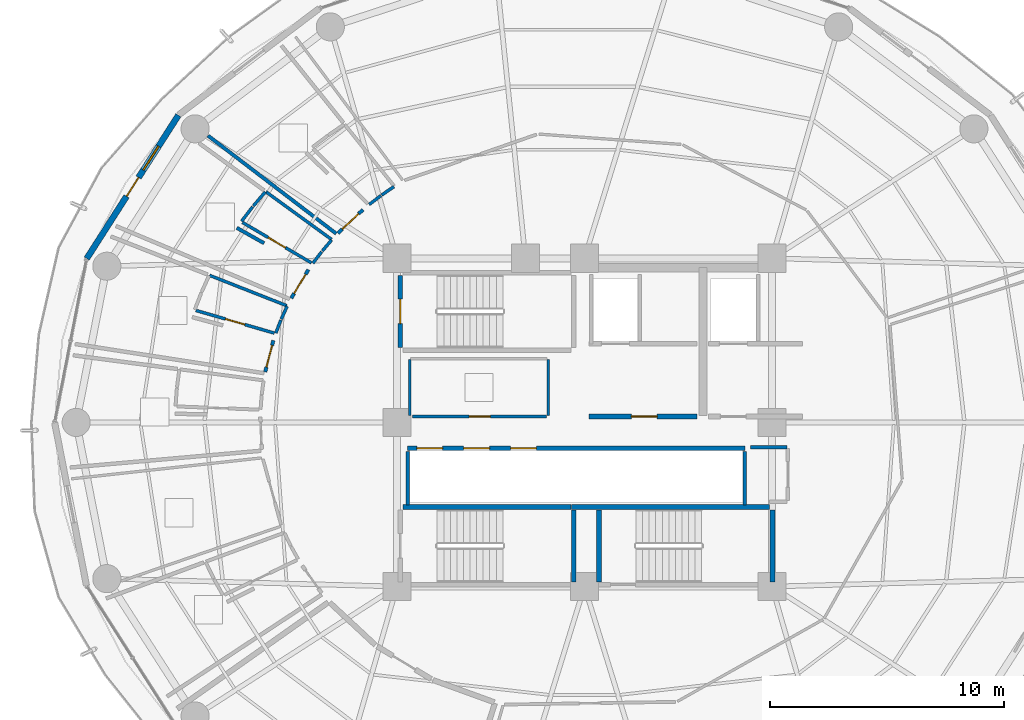
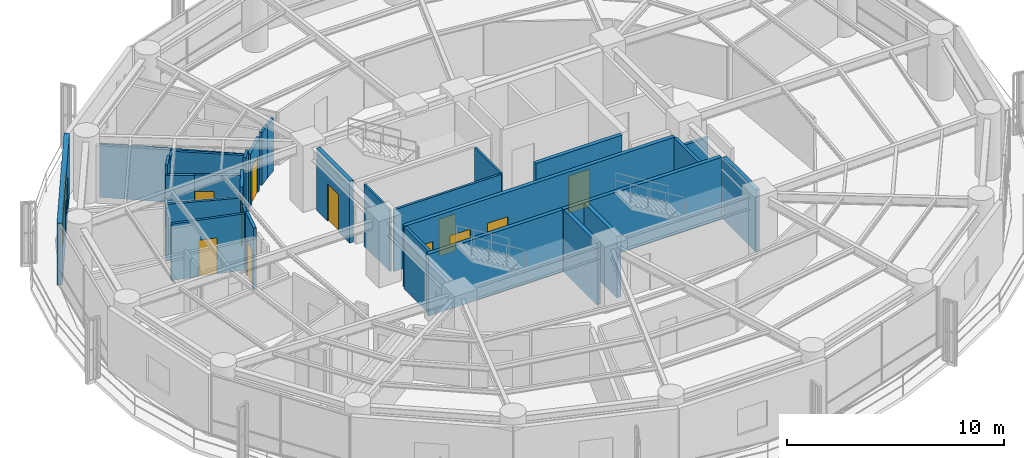
# One storey, part 22 of 27: 32 walls, 12 doors, 1 window, 13 openings.
"""IFC4 building model written with IfcOpenShell, lengths in metres."""

from ifc_helpers import new_model, si_unit, direction, frame, frame_2d, origin, place, context, subcontext, project, spatial, rectangle, extrude, material, layer, layer_set, type_object, element, fill, save


model = new_model("IFC4")

# Units and contexts
model_context = context("Model", 3, precision=1e-05, world=origin(), true_north=direction((0.0, 1.0)))
body_context = subcontext(model_context, "Body", "Model", "MODEL_VIEW")
ifc_project = project(units=[si_unit("LENGTHUNIT", "METRE"), si_unit("AREAUNIT", "SQUARE_METRE"), si_unit("VOLUMEUNIT", "CUBIC_METRE"), si_unit("PLANEANGLEUNIT", "RADIAN"), si_unit("MASSUNIT", "GRAM", prefix="KILO")], contexts=[model_context])

# Site, building, storey
site_placement = place(None, origin())
site = spatial("IfcSite", under=ifc_project, at=site_placement, CompositionType="ELEMENT")
building_placement = place(site_placement, origin())
building = spatial("IfcBuilding", under=site, at=building_placement, Name="Kelanora Arch Commons", CompositionType="ELEMENT")
storey_placement = place(building_placement, frame((0.0, 0.0, 169.35009765625)))
storey = spatial("IfcBuildingStorey", under=building, at=storey_placement, Name="L43", CompositionType="ELEMENT", Elevation=169.35009765625)

# Walls
ifc_material_1 = material(Name="Autoclaved aerated concrete blockwork with fire plaster", Category="masonry")
ifc_layer_1 = layer(ifc_material_1, 0.14990234375)
ifc_layer_set_1 = layer_set([ifc_layer_1], Name="Autoclaved aerated concrete blockwork with fire plaster")
wall_type_1 = type_object("IfcWallType", Name="W-COMP-150", PredefinedType="PARTITIONING", material=ifc_layer_set_1)
for number, where, z_axis, x_axis, name in (
    (1, (66.4599609375, 54.47998046875, 0.0), (0.0, 0.0, 1.0), (0.0, 1.0, 0.0), "South Lift Bank West Wall L43"),
    (2, (80.840087890625, 54.47998046875, 0.0), (0.0, 0.0, 1.0), (0.0, 1.0, 0.0), "South Lift Bank East Wall L43"),
):
    element("IfcWall", number, at=place(storey_placement, frame(where, z_axis=z_axis, x_axis=x_axis)), inside=storey, type_object=wall_type_1, Name=name, PredefinedType="PARTITIONING", context=body_context, shape_type="SweptSolid", body=[
        extrude(rectangle(XDim=2.2900390625, YDim=0.14990234375, at=frame_2d((1.14501953125, 0.0))), origin(), (0.0, 0.0, 1.0), 3.47998046875),
    ])

# Wall, opening, door
wall_1_placement = place(storey_placement, frame((64.55029296875, 67.072021484375, 0.0), z_axis=(0.0, 0.0, 1.0), x_axis=(-0.728239210945, -0.685323027223, 0.0)))
wall_1 = element("IfcWall", 3, at=wall_1_placement, inside=storey, type_object=wall_type_1, Name="Cluster Bedroom L43-01 Entry Partition", PredefinedType="PARTITIONING", context=body_context, shape_type="SweptSolid", body=[
    extrude(rectangle(XDim=1.4619140625, YDim=0.14990234375, at=frame_2d((0.73095703125, 0.0))), origin(), (0.0, 0.0, 1.0), 2.974853515625),
])
opening_1_placement = place(wall_1_placement, frame((0.256103515625, 0.0, 0.0)))
opening_1 = element("IfcOpeningElement", 4, at=opening_1_placement, cuts=wall_1, Name="Opening D-CLU1", PredefinedType="OPENING", context=body_context, shape_type="SweptSolid", body=[
    extrude(rectangle(XDim=0.949951171875, YDim=2.080078125, at=frame_2d((0.47509765625, 1.0400390625))), frame((0.0, 0.0849609375, 0.0), z_axis=(0.0, -1.0, 0.0), x_axis=(1.0, 0.0, 0.0)), (0.0, 0.0, 1.0), 0.169921875),
])
ifc_material_2 = material(Name="Solid-core acoustic timber cluster entry fire door", Category="wood")
door_type_1 = type_object("IfcDoorType", Name="D-CLU-95", OperationType="NOTDEFINED", PredefinedType="DOOR", material=ifc_material_2)
door_1_placement = place(opening_1_placement, origin())
door_1 = element("IfcDoor", 5, at=door_1_placement, inside=storey, type_object=door_type_1, Name="Cluster Bedroom L43-01 Door", OperationType="SINGLE_SWING_LEFT", OverallHeight=2.080078125, OverallWidth=0.949951171875, PredefinedType="DOOR", context=body_context, shape_type="SweptSolid", body=[
    extrude(rectangle(XDim=0.949951171875, YDim=2.080078125, at=frame_2d((0.47509765625, 1.0400390625))), frame((0.0, 0.02490234375, 0.0), z_axis=(0.0, -1.0, 0.0), x_axis=(1.0, 0.0, 0.0)), (0.0, 0.0, 1.0), 0.050048828125),
])
fill(opening_1, door_1)

wall_2_placement = place(storey_placement, frame((62.22509765625, 64.513671875, 0.0), z_axis=(0.0, 0.0, 1.0), x_axis=(-0.516038492654, -0.856565393942, 0.0)))
wall_2 = element("IfcWall", 6, at=wall_2_placement, inside=storey, type_object=wall_type_1, Name="Cluster Bedroom L43-02 Entry Partition", PredefinedType="PARTITIONING", context=body_context, shape_type="SweptSolid", body=[
    extrude(rectangle(XDim=1.4189453125, YDim=0.14990234375, at=frame_2d((0.70947265625, 0.0))), origin(), (0.0, 0.0, 1.0), 3.47998046875),
])
opening_2_placement = place(wall_2_placement, frame((0.23388671875, 0.0, 0.0)))
opening_2 = element("IfcOpeningElement", 7, at=opening_2_placement, cuts=wall_2, Name="Opening D-CLU1", PredefinedType="OPENING", context=body_context, shape_type="SweptSolid", body=[
    extrude(rectangle(XDim=0.949951171875, YDim=2.080078125, at=frame_2d((0.47509765625, 1.0400390625))), frame((0.0, 0.0849609375, 0.0), z_axis=(0.0, -1.0, 0.0), x_axis=(1.0, 0.0, 0.0)), (0.0, 0.0, 1.0), 0.169921875),
])
door_2_placement = place(opening_2_placement, origin())
door_2 = element("IfcDoor", 8, at=door_2_placement, inside=storey, type_object=door_type_1, Name="Cluster Bedroom L43-02 Door", OperationType="SINGLE_SWING_LEFT", OverallHeight=2.080078125, OverallWidth=0.949951171875, PredefinedType="DOOR", context=body_context, shape_type="SweptSolid", body=[
    extrude(rectangle(XDim=0.949951171875, YDim=2.080078125, at=frame_2d((0.47509765625, 1.0400390625))), frame((0.0, 0.02490234375, 0.0), z_axis=(0.0, -1.0, 0.0), x_axis=(1.0, 0.0, 0.0)), (0.0, 0.0, 1.0), 0.050048828125),
])
fill(opening_2, door_2)

wall_3_placement = place(storey_placement, frame((60.73193359375, 61.495849609375, 0.0), z_axis=(0.0, 0.0, 1.0), x_axis=(-0.251297806583, -0.967909816257, 0.0)))
wall_3 = element("IfcWall", 9, at=wall_3_placement, inside=storey, type_object=wall_type_1, Name="Cluster Bedroom L43-03 Entry Partition", PredefinedType="PARTITIONING", context=body_context, shape_type="SweptSolid", body=[
    extrude(rectangle(XDim=1.38818359375, YDim=0.14990234375, at=frame_2d((0.694091796875, 0.0))), origin(), (0.0, 0.0, 1.0), 3.47998046875),
])
opening_3_placement = place(wall_3_placement, frame((0.218994140625, 0.0, 0.0)))
opening_3 = element("IfcOpeningElement", 10, at=opening_3_placement, cuts=wall_3, Name="Opening D-CLU1", PredefinedType="OPENING", context=body_context, shape_type="SweptSolid", body=[
    extrude(rectangle(XDim=0.949951171875, YDim=2.080078125, at=frame_2d((0.47509765625, 1.0400390625))), frame((0.0, 0.0849609375, 0.0), z_axis=(0.0, -1.0, 0.0), x_axis=(1.0, 0.0, 0.0)), (0.0, 0.0, 1.0), 0.169921875),
])
door_3_placement = place(opening_3_placement, origin())
door_3 = element("IfcDoor", 11, at=door_3_placement, inside=storey, type_object=door_type_1, Name="Cluster Bedroom L43-03 Door", OperationType="SINGLE_SWING_LEFT", OverallHeight=2.080078125, OverallWidth=0.949951171875, PredefinedType="DOOR", context=body_context, shape_type="SweptSolid", body=[
    extrude(rectangle(XDim=0.949951171875, YDim=2.080078125, at=frame_2d((0.47509765625, 1.0400390625))), frame((0.0, 0.02490234375, 0.0), z_axis=(0.0, -1.0, 0.0), x_axis=(1.0, 0.0, 0.0)), (0.0, 0.0, 1.0), 0.050048828125),
])
fill(opening_3, door_3)

# Walls
wall_4_placement = place(storey_placement, frame((82.639892578125, 56.949951171875, 0.0), z_axis=(0.0, 0.0, 1.0), x_axis=(-1.0, 0.0, 0.0)))
element("IfcWall", 12, at=wall_4_placement, inside=storey, type_object=wall_type_1, Name="Core Housekeeping Store L43 Enclosure Partition 3", PredefinedType="PARTITIONING", context=body_context, shape_type="SweptSolid", body=[
    extrude(rectangle(XDim=1.5498046875, YDim=0.14990234375, at=frame_2d((0.77490234375, 0.0))), origin(), (0.0, 0.0, 1.0), 2.77490234375),
])
wall_5_placement = place(storey_placement, frame((63.41015625, 66.05322265625, 0.0), z_axis=(0.0, 0.0, 1.0), x_axis=(-0.794605605324, 0.607125960561, 0.0)))
element("IfcWall", 13, at=wall_5_placement, inside=storey, type_object=wall_type_1, Name="Cluster Bedroom L43-01 Enclosure Partition 2", PredefinedType="PARTITIONING", context=body_context, shape_type="SweptSolid", body=[
    extrude(rectangle(XDim=6.87841796875, YDim=0.14990234375, at=frame_2d((3.439208984375, 0.0))), origin(), (0.0, 0.0, 1.0), 2.974853515625),
])
wall_6_placement = place(storey_placement, frame((59.173828125, 66.29638671875, 0.0), z_axis=(0.0, 0.0, 1.0), x_axis=(0.871883609801, -0.489713151712, 0.0)))
element("IfcWall", 14, at=wall_6_placement, inside=storey, type_object=wall_type_1, Name="Cluster Bedroom L43-02 Enclosure Partition 7", PredefinedType="PARTITIONING", context=body_context, shape_type="SweptSolid", body=[
    extrude(rectangle(XDim=1.33251953125, YDim=0.14990234375, at=frame_2d((0.666259765625, 0.0))), origin(), (0.0, 0.0, 1.0), 3.1748046875),
])

# Wall, openings, door, window
ifc_material_3 = material(Name="Precast concrete C40/50 with terracotta rainscreen", Category="masonry")
ifc_layer_2 = layer(ifc_material_3, 0.260009765625)
ifc_layer_set_2 = layer_set([ifc_layer_2], Name="Precast concrete C40/50 with terracotta rainscreen")
wall_type_2 = type_object("IfcWallType", Name="W-EXT-TC", PredefinedType="SOLIDWALL", material=ifc_layer_set_2)
wall_7_placement = place(storey_placement, frame((56.67919921875, 71.100341796875, 0.0), z_axis=(0.0, 0.0, 1.0), x_axis=(-0.538801521808, -0.842432739213, 0.0)))
wall_7 = element("IfcWall", 15, at=wall_7_placement, inside=storey, type_object=wall_type_2, Name="Terracotta Exterior Wall L43-B07", PredefinedType="SOLIDWALL", context=body_context, shape_type="SweptSolid", body=[
    extrude(rectangle(XDim=7.25341796875, YDim=0.260009765625, at=frame_2d((3.626708984375, 0.0))), origin(), (0.0, 0.0, 1.0), 3.474853515625),
])
opening_4_placement = place(wall_7_placement, frame((3.152099609375, 0.0, 0.0)))
opening_4 = element("IfcOpeningElement", 16, at=opening_4_placement, cuts=wall_7, Name="Opening DB-01", PredefinedType="OPENING", context=body_context, shape_type="SweptSolid", body=[
    extrude(rectangle(XDim=0.949951171875, YDim=2.10009765625, at=frame_2d((0.47509765625, 1.050048828125))), frame((0.0, 0.14013671875, 0.0), z_axis=(0.0, -1.0, 0.0), x_axis=(1.0, 0.0, 0.0)), (0.0, 0.0, 1.0), 0.280029296875),
])
opening_5_placement = place(wall_7_placement, frame((1.572021484375, 0.0, 0.85009765625)))
opening_5 = element("IfcOpeningElement", 17, at=opening_5_placement, cuts=wall_7, Name="Opening WN-02", PredefinedType="OPENING", context=body_context, shape_type="SweptSolid", body=[
    extrude(rectangle(XDim=1.199951171875, YDim=1.449951171875, at=frame_2d((0.60009765625, 0.72509765625))), frame((0.0, 0.14013671875, 0.0), z_axis=(0.0, -1.0, 0.0), x_axis=(1.0, 0.0, 0.0)), (0.0, 0.0, 1.0), 0.280029296875),
])
ifc_material_4 = material(Name="Terracotta-aluminium thermally broken glazed balcony door", Category="masonry")
door_type_2 = type_object("IfcDoorType", Name="D-BAL-10", OperationType="NOTDEFINED", PredefinedType="DOOR", material=ifc_material_4)
door_4_placement = place(opening_4_placement, frame((0.949951171875, 0.0, 0.0), z_axis=(0.0, 0.0, 1.0), x_axis=(-1.0, 0.0, 0.0)))
door_4 = element("IfcDoor", 18, at=door_4_placement, inside=storey, type_object=door_type_2, Name="Wave Balcony Door L43-B07", OperationType="SINGLE_SWING_LEFT", OverallHeight=2.10009765625, OverallWidth=0.949951171875, PredefinedType="DOOR", context=body_context, shape_type="SweptSolid", body=[
    extrude(rectangle(XDim=0.949951171875, YDim=2.10009765625, at=frame_2d((0.47509765625, 1.050048828125))), frame((0.0, 0.02490234375, 0.0), z_axis=(0.0, -1.0, 0.0), x_axis=(1.0, 0.0, 0.0)), (0.0, 0.0, 1.0), 0.050048828125),
])
fill(opening_4, door_4)
ifc_material_5 = material(Name="Terracotta-anodised aluminium frame with operable awning sash", Category="masonry")
window_type = type_object("IfcWindowType", Name="WIN-CL-12", PartitioningType="SINGLE_PANEL", PredefinedType="WINDOW", material=ifc_material_5)
window_placement = place(opening_5_placement, origin())
window = element("IfcWindow", 19, at=window_placement, inside=storey, type_object=window_type, Name="Co-Living Operable Window L43-B07", OverallHeight=1.449951171875, OverallWidth=1.199951171875, PartitioningType="SINGLE_PANEL", PredefinedType="WINDOW", context=body_context, shape_type="SweptSolid", body=[
    extrude(rectangle(XDim=1.199951171875, YDim=1.449951171875, at=frame_2d((0.60009765625, 0.72509765625))), frame((0.0, 0.030029296875, 0.0), z_axis=(0.0, -1.0, 0.0), x_axis=(1.0, 0.0, 0.0)), (0.0, 0.0, 1.0), 0.06005859375),
])
fill(opening_5, window)

# Wall, opening, door
ifc_material_6 = material(Name="Concrete C40/50", Category="concrete")
ifc_layer_3 = layer(ifc_material_6, 0.199951171875)
ifc_layer_set_3 = layer_set([ifc_layer_3], Name="Concrete C40/50")
wall_type_3 = type_object("IfcWallType", Name="W-FFL-200", PredefinedType="SOLIDWALL", material=ifc_layer_set_3)
wall_8_placement = place(storey_placement, frame((74.199951171875, 58.25, 0.0), z_axis=(0.0, 0.0, 1.0), x_axis=(1.0, 0.0, 0.0)))
wall_8 = element("IfcWall", 20, at=wall_8_placement, inside=storey, type_object=wall_type_3, Name="Firefighting Lobby 1 Enclosure Wall L43", PredefinedType="SOLIDWALL", context=body_context, shape_type="SweptSolid", body=[
    extrude(rectangle(XDim=4.60009765625, YDim=0.199951171875, at=frame_2d((2.300048828125, 0.0))), origin(), (0.0, 0.0, 1.0), 3.47998046875),
])
opening_6_placement = place(wall_8_placement, frame((1.800048828125, 0.0, 0.0)))
opening_6 = element("IfcOpeningElement", 21, at=opening_6_placement, cuts=wall_8, Name="Opening D-FFL1", PredefinedType="OPENING", context=body_context, shape_type="SweptSolid", body=[
    extrude(rectangle(XDim=1.10009765625, YDim=2.10009765625, at=frame_2d((0.550048828125, 1.050048828125))), frame((0.0, 0.10986328125, 0.0), z_axis=(0.0, -1.0, 0.0), x_axis=(1.0, 0.0, 0.0)), (0.0, 0.0, 1.0), 0.219970703125),
])
ifc_material_7 = material(Name="Smoke-sealed firefighting lobby fire door")
door_type_3 = type_object("IfcDoorType", Name="D-FFL-110", OperationType="NOTDEFINED", PredefinedType="DOOR", material=ifc_material_7)
door_5_placement = place(opening_6_placement, frame((1.10009765625, 0.0, 0.0), z_axis=(0.0, 0.0, 1.0), x_axis=(-1.0, 0.0, 0.0)))
door_5 = element("IfcDoor", 22, at=door_5_placement, inside=storey, type_object=door_type_3, Name="Firefighting Lobby 1 Door L43", OperationType="SINGLE_SWING_LEFT", OverallHeight=2.10009765625, OverallWidth=1.10009765625, PredefinedType="DOOR", context=body_context, shape_type="SweptSolid", body=[
    extrude(rectangle(XDim=1.10009765625, YDim=2.10009765625, at=frame_2d((0.550048828125, 1.050048828125))), frame((0.0, 0.02490234375, 0.0), z_axis=(0.0, -1.0, 0.0), x_axis=(1.0, 0.0, 0.0)), (0.0, 0.0, 1.0), 0.050048828125),
])
fill(opening_6, door_5)

# Wall, openings, doors
wall_9_placement = place(storey_placement, frame((66.449951171875, 56.89990234375, 0.0), z_axis=(0.0, 0.0, 1.0), x_axis=(1.0, 0.0, 0.0)))
wall_9 = element("IfcWall", 23, at=wall_9_placement, inside=storey, type_object=wall_type_3, Name="Mid/High/Express Lift Shaft Front L43", PredefinedType="SOLIDWALL", context=body_context, shape_type="SweptSolid", body=[
    extrude(rectangle(XDim=14.400146484375, YDim=0.199951171875, at=frame_2d((7.2001953125, 0.0))), origin(), (0.0, 0.0, 1.0), 3.47998046875),
])
opening_7_placement = place(wall_9_placement, frame((0.39990234375, 0.0, 0.0)))
opening_7 = element("IfcOpeningElement", 24, at=opening_7_placement, cuts=wall_9, Name="Opening LD-01", PredefinedType="OPENING", context=body_context, shape_type="SweptSolid", body=[
    extrude(rectangle(XDim=1.10009765625, YDim=2.10009765625, at=frame_2d((0.550048828125, 1.050048828125))), frame((0.0, 0.10986328125, 0.0), z_axis=(0.0, -1.0, 0.0), x_axis=(1.0, 0.0, 0.0)), (0.0, 0.0, 1.0), 0.219970703125),
])
opening_8_placement = place(wall_9_placement, frame((2.39990234375, 0.0, 0.0)))
opening_8 = element("IfcOpeningElement", 25, at=opening_8_placement, cuts=wall_9, Name="Opening LD-01", PredefinedType="OPENING", context=body_context, shape_type="SweptSolid", body=[
    extrude(rectangle(XDim=1.10009765625, YDim=2.10009765625, at=frame_2d((0.550048828125, 1.050048828125))), frame((0.0, 0.10986328125, 0.0), z_axis=(0.0, -1.0, 0.0), x_axis=(1.0, 0.0, 0.0)), (0.0, 0.0, 1.0), 0.219970703125),
])
opening_9_placement = place(wall_9_placement, frame((4.39990234375, 0.0, 0.0)))
opening_9 = element("IfcOpeningElement", 26, at=opening_9_placement, cuts=wall_9, Name="Opening LD-01", PredefinedType="OPENING", context=body_context, shape_type="SweptSolid", body=[
    extrude(rectangle(XDim=1.10009765625, YDim=2.10009765625, at=frame_2d((0.550048828125, 1.050048828125))), frame((0.0, 0.10986328125, 0.0), z_axis=(0.0, -1.0, 0.0), x_axis=(1.0, 0.0, 0.0)), (0.0, 0.0, 1.0), 0.219970703125),
])
ifc_material_8 = material(Name="Stainless steel passenger lift sliding landing door", Category="steel")
door_type_4 = type_object("IfcDoorType", Name="D-LIFT-110", OperationType="NOTDEFINED", PredefinedType="DOOR", material=ifc_material_8)
door_6_placement = place(opening_7_placement, origin())
door_6 = element("IfcDoor", 27, at=door_6_placement, inside=storey, type_object=door_type_4, Name="Passenger Lift LF-P4 Landing Door L43", OperationType="DOUBLE_DOOR_SLIDING", OverallHeight=2.10009765625, OverallWidth=1.10009765625, PredefinedType="DOOR", context=body_context, shape_type="SweptSolid", body=[
    extrude(rectangle(XDim=1.10009765625, YDim=2.10009765625, at=frame_2d((0.550048828125, 1.050048828125))), frame((0.0, 0.02490234375, 0.0), z_axis=(0.0, -1.0, 0.0), x_axis=(1.0, 0.0, 0.0)), (0.0, 0.0, 1.0), 0.050048828125),
])
fill(opening_7, door_6)
door_7_placement = place(opening_8_placement, origin())
door_7 = element("IfcDoor", 28, at=door_7_placement, inside=storey, type_object=door_type_4, Name="Passenger Lift LF-P5 Landing Door L43", OperationType="DOUBLE_DOOR_SLIDING", OverallHeight=2.10009765625, OverallWidth=1.10009765625, PredefinedType="DOOR", context=body_context, shape_type="SweptSolid", body=[
    extrude(rectangle(XDim=1.10009765625, YDim=2.10009765625, at=frame_2d((0.550048828125, 1.050048828125))), frame((0.0, 0.02490234375, 0.0), z_axis=(0.0, -1.0, 0.0), x_axis=(1.0, 0.0, 0.0)), (0.0, 0.0, 1.0), 0.050048828125),
])
fill(opening_8, door_7)
door_8_placement = place(opening_9_placement, origin())
door_8 = element("IfcDoor", 29, at=door_8_placement, inside=storey, type_object=door_type_4, Name="Passenger Lift LF-P6 Landing Door L43", OperationType="DOUBLE_DOOR_SLIDING", OverallHeight=2.10009765625, OverallWidth=1.10009765625, PredefinedType="DOOR", context=body_context, shape_type="SweptSolid", body=[
    extrude(rectangle(XDim=1.10009765625, YDim=2.10009765625, at=frame_2d((0.550048828125, 1.050048828125))), frame((0.0, 0.02490234375, 0.0), z_axis=(0.0, -1.0, 0.0), x_axis=(1.0, 0.0, 0.0)), (0.0, 0.0, 1.0), 0.050048828125),
])
fill(opening_9, door_8)

# Walls
ifc_material_9 = material(Name="Lightweight fire-rated acoustic stud partition")
ifc_layer_4 = layer(ifc_material_9, 0.10009765625)
ifc_layer_set_4 = layer_set([ifc_layer_4], Name="Lightweight fire-rated acoustic stud partition")
wall_type_4 = type_object("IfcWallType", Name="W-PART-100", PredefinedType="PARTITIONING", material=ifc_layer_set_4)
wall_10_placement = place(storey_placement, frame((72.449951171875, 58.2900390625, 0.0), z_axis=(0.0, 0.0, 1.0), x_axis=(0.0, 1.0, 0.0)))
element("IfcWall", 30, at=wall_10_placement, inside=storey, type_object=wall_type_4, Name="Reclaimed Core Study Pod Lounge L43 Enclosure Partition 2", PredefinedType="PARTITIONING", context=body_context, shape_type="SweptSolid", body=[
    extrude(rectangle(XDim=2.389892578125, YDim=0.10009765625, at=frame_2d((1.19482421875, 0.0))), origin(), (0.0, 0.0, 1.0), 3.47998046875),
])
wall_11_placement = place(storey_placement, frame((66.550048828125, 60.679931640625, 0.0), z_axis=(0.0, 0.0, 1.0), x_axis=(0.0, -1.0, 0.0)))
element("IfcWall", 31, at=wall_11_placement, inside=storey, type_object=wall_type_4, Name="Reclaimed Core Study Pod Lounge L43 Enclosure Partition 4", PredefinedType="PARTITIONING", context=body_context, shape_type="SweptSolid", body=[
    extrude(rectangle(XDim=2.383056640625, YDim=0.10009765625, at=frame_2d((1.19140625, 0.0))), origin(), (0.0, 0.0, 1.0), 3.47998046875),
])

# Wall, opening, door
ifc_material_10 = material(Name="Acoustic twin-stud fire-rated gypsum partition")
ifc_layer_5 = layer(ifc_material_10, 0.1201171875)
ifc_layer_set_5 = layer_set([ifc_layer_5], Name="Acoustic twin-stud fire-rated gypsum partition")
wall_type_5 = type_object("IfcWallType", Name="W-PART-120", PredefinedType="PARTITIONING", material=ifc_layer_set_5)
wall_12_placement = place(storey_placement, frame((66.67529296875, 58.25, 0.0), z_axis=(0.0, 0.0, 1.0), x_axis=(1.0, 0.0, 0.0)))
wall_12 = element("IfcWall", 32, at=wall_12_placement, inside=storey, type_object=wall_type_5, Name="Reclaimed Core Study Pod Lounge L43 Entry Partition", PredefinedType="PARTITIONING", context=body_context, shape_type="SweptSolid", body=[
    extrude(rectangle(XDim=5.714599609375, YDim=0.1201171875, at=frame_2d((2.857421875, 0.0))), origin(), (0.0, 0.0, 1.0), 3.47998046875),
])
opening_10_placement = place(wall_12_placement, frame((2.406982421875, 0.0, 0.0)))
opening_10 = element("IfcOpeningElement", 33, at=opening_10_placement, cuts=wall_12, Name="Opening D-RM1", PredefinedType="OPENING", context=body_context, shape_type="SweptSolid", body=[
    extrude(rectangle(XDim=0.89990234375, YDim=2.080078125, at=frame_2d((0.449951171875, 1.0400390625))), frame((0.0, 0.070068359375, 0.0), z_axis=(0.0, -1.0, 0.0), x_axis=(1.0, 0.0, 0.0)), (0.0, 0.0, 1.0), 0.14013671875),
])
ifc_material_11 = material(Name="Acoustic fire-rated timber study and lounge door", Category="wood")
door_type_5 = type_object("IfcDoorType", Name="D-ROOM-90", OperationType="NOTDEFINED", PredefinedType="DOOR", material=ifc_material_11)
door_9_placement = place(opening_10_placement, origin())
door_9 = element("IfcDoor", 34, at=door_9_placement, inside=storey, type_object=door_type_5, Name="Reclaimed Core Study Pod Lounge L43 Door", OperationType="SINGLE_SWING_RIGHT", OverallHeight=2.080078125, OverallWidth=0.89990234375, PredefinedType="DOOR", context=body_context, shape_type="SweptSolid", body=[
    extrude(rectangle(XDim=0.89990234375, YDim=2.080078125, at=frame_2d((0.449951171875, 1.0400390625))), frame((0.0, 0.02490234375, 0.0), z_axis=(0.0, -1.0, 0.0), x_axis=(1.0, 0.0, 0.0)), (0.0, 0.0, 1.0), 0.050048828125),
])
fill(opening_10, door_9)

ifc_layer_6 = layer(ifc_material_6, 0.199951171875)
ifc_layer_set_6 = layer_set([ifc_layer_6], Name="Concrete C40/50")
wall_type_6 = type_object("IfcWallType", Name="W-STAIR-200", PredefinedType="SHEAR", material=ifc_layer_set_6)
wall_13_placement = place(storey_placement, frame((66.139892578125, 64.27001953125, 0.0), z_axis=(0.0, 0.0, 1.0), x_axis=(0.0, -1.0, 0.0)))
wall_13 = element("IfcWall", 35, at=wall_13_placement, inside=storey, type_object=wall_type_6, Name="Stair ST-T1 Shaft Wall W L43", PredefinedType="SHEAR", context=body_context, shape_type="SweptSolid", body=[
    extrude(rectangle(XDim=3.070068359375, YDim=0.199951171875, at=frame_2d((1.53515625, 0.0))), origin(), (0.0, 0.0, 1.0), 3.489990234375),
])
opening_11_placement = place(wall_13_placement, frame((1.010009765625, 0.0, 0.0)))
opening_11 = element("IfcOpeningElement", 36, at=opening_11_placement, cuts=wall_13, Name="Opening D-ST1", PredefinedType="OPENING", context=body_context, shape_type="SweptSolid", body=[
    extrude(rectangle(XDim=1.050048828125, YDim=2.10009765625, at=frame_2d((0.52490234375, 1.050048828125))), frame((0.0, 0.10986328125, 0.0), z_axis=(0.0, -1.0, 0.0), x_axis=(1.0, 0.0, 0.0)), (0.0, 0.0, 1.0), 0.219970703125),
])
ifc_material_12 = material(Name="Steel fire-rated stairwell escape door", Category="steel")
door_type_6 = type_object("IfcDoorType", Name="D-STAIR-110", OperationType="NOTDEFINED", PredefinedType="DOOR", material=ifc_material_12)
door_10_placement = place(opening_11_placement, origin())
door_10 = element("IfcDoor", 37, at=door_10_placement, inside=storey, type_object=door_type_6, Name="Stair ST-T1 Escape Door L43", OperationType="SINGLE_SWING_LEFT", OverallHeight=2.10009765625, OverallWidth=1.050048828125, PredefinedType="DOOR", context=body_context, shape_type="SweptSolid", body=[
    extrude(rectangle(XDim=1.050048828125, YDim=2.10009765625, at=frame_2d((0.52490234375, 1.050048828125))), frame((0.0, 0.02490234375, 0.0), z_axis=(0.0, -1.0, 0.0), x_axis=(1.0, 0.0, 0.0)), (0.0, 0.0, 1.0), 0.050048828125),
])
fill(opening_11, door_10)

# Walls
wall_14_placement = place(storey_placement, frame((82.02001953125, 51.199951171875, 0.0), z_axis=(0.0, 0.0, 1.0), x_axis=(0.0, 1.0, 0.0)))
element("IfcWall", 38, at=wall_14_placement, inside=storey, type_object=wall_type_6, Name="Stair ST-T2 Shaft Wall E L43", PredefinedType="SHEAR", context=body_context, shape_type="SweptSolid", body=[
    extrude(rectangle(XDim=3.070068359375, YDim=0.199951171875, at=frame_2d((1.53515625, 0.0))), origin(), (0.0, 0.0, 1.0), 3.489990234375),
])
wall_15_placement = place(storey_placement, frame((81.89990234375, 54.389892578125, 0.0), z_axis=(0.0, 0.0, 1.0), x_axis=(-1.0, 0.0, 0.0)))
element("IfcWall", 39, at=wall_15_placement, inside=storey, type_object=wall_type_6, Name="Stair ST-T2 Shaft Wall N L43", PredefinedType="SHEAR", context=body_context, shape_type="SweptSolid", body=[
    extrude(rectangle(XDim=8.4599609375, YDim=0.199951171875, at=frame_2d((4.22998046875, 0.0))), origin(), (0.0, 0.0, 1.0), 3.489990234375),
])
for number, where, z_axis, x_axis, name in (
    (40, (74.6201171875, 54.27001953125, 0.0), (0.0, 0.0, 1.0), (0.0, -1.0, 0.0), "Stair ST-T2 Shaft Wall W L43"),
    (41, (73.5400390625, 51.199951171875, 0.0), (0.0, 0.0, 1.0), (0.0, 1.0, 0.0), "Stair ST-T3 Shaft Wall E L43"),
):
    element("IfcWall", number, at=place(storey_placement, frame(where, z_axis=z_axis, x_axis=x_axis)), inside=storey, type_object=wall_type_6, Name=name, PredefinedType="SHEAR", context=body_context, shape_type="SweptSolid", body=[
        extrude(rectangle(XDim=3.070068359375, YDim=0.199951171875, at=frame_2d((1.53515625, 0.0))), origin(), (0.0, 0.0, 1.0), 3.489990234375),
    ])
wall_16_placement = place(storey_placement, frame((73.419921875, 54.389892578125, 0.0), z_axis=(0.0, 0.0, 1.0), x_axis=(-1.0, 0.0, 0.0)))
element("IfcWall", 42, at=wall_16_placement, inside=storey, type_object=wall_type_6, Name="Stair ST-T3 Shaft Wall N L43", PredefinedType="SHEAR", context=body_context, shape_type="SweptSolid", body=[
    extrude(rectangle(XDim=7.159912109375, YDim=0.199951171875, at=frame_2d((3.580078125, 0.0))), origin(), (0.0, 0.0, 1.0), 3.489990234375),
])

# Wall, opening, door
ifc_material_13 = material(Name="Moisture-resistant fire-rated cement-board plumbing wall")
ifc_layer_7 = layer(ifc_material_13, 0.1298828125)
ifc_layer_set_7 = layer_set([ifc_layer_7], Name="Moisture-resistant fire-rated cement-board plumbing wall")
wall_type_7 = type_object("IfcWallType", Name="W-WET-120", PredefinedType="PLUMBINGWALL", material=ifc_layer_set_7)
wall_17_placement = place(storey_placement, frame((62.353271484375, 64.806396484375, 0.0), z_axis=(0.0, 0.0, 1.0), x_axis=(-0.862644088452, 0.505811404239, 0.0)))
wall_17 = element("IfcWall", 43, at=wall_17_placement, inside=storey, type_object=wall_type_7, Name="En-Suite Shower WC L43-02 Entry Partition", PredefinedType="PLUMBINGWALL", context=body_context, shape_type="SweptSolid", body=[
    extrude(rectangle(XDim=3.40869140625, YDim=0.1298828125, at=frame_2d((1.704345703125, 0.0))), origin(), (0.0, 0.0, 1.0), 2.974853515625),
])
opening_12_placement = place(wall_17_placement, frame((1.27392578125, 0.0, 0.0)))
opening_12 = element("IfcOpeningElement", 44, at=opening_12_placement, cuts=wall_17, Name="Opening D-BT1", PredefinedType="OPENING", context=body_context, shape_type="SweptSolid", body=[
    extrude(rectangle(XDim=0.860107421875, YDim=2.050048828125, at=frame_2d((0.43017578125, 1.02490234375))), frame((0.0, 0.074951171875, 0.0), z_axis=(0.0, -1.0, 0.0), x_axis=(1.0, 0.0, 0.0)), (0.0, 0.0, 1.0), 0.14990234375),
])
ifc_material_14 = material(Name="Moisture-sealed fire-rated accessible bathroom door")
door_type_7 = type_object("IfcDoorType", Name="D-BATH-85", OperationType="NOTDEFINED", PredefinedType="DOOR", material=ifc_material_14)
door_11_placement = place(opening_12_placement, origin())
door_11 = element("IfcDoor", 45, at=door_11_placement, inside=storey, type_object=door_type_7, Name="En-Suite Shower WC L43-02 Door", OperationType="SINGLE_SWING_RIGHT", OverallHeight=2.050048828125, OverallWidth=0.860107421875, PredefinedType="DOOR", context=body_context, shape_type="SweptSolid", body=[
    extrude(rectangle(XDim=0.860107421875, YDim=2.050048828125, at=frame_2d((0.43017578125, 1.02490234375))), frame((0.0, 0.02490234375, 0.0), z_axis=(0.0, -1.0, 0.0), x_axis=(1.0, 0.0, 0.0)), (0.0, 0.0, 1.0), 0.050048828125),
])
fill(opening_12, door_11)

wall_18_placement = place(storey_placement, frame((60.771484375, 61.809814453125, 0.0), z_axis=(0.0, 0.0, 1.0), x_axis=(-0.960701289908, 0.277584278316, 0.0)))
wall_18 = element("IfcWall", 46, at=wall_18_placement, inside=storey, type_object=wall_type_7, Name="En-Suite Shower WC L43-03 Entry Partition", PredefinedType="PLUMBINGWALL", context=body_context, shape_type="SweptSolid", body=[
    extrude(rectangle(XDim=3.478515625, YDim=0.1298828125, at=frame_2d((1.7392578125, 0.0))), origin(), (0.0, 0.0, 1.0), 3.1748046875),
])
opening_13_placement = place(wall_18_placement, frame((1.30908203125, 0.0, 0.0)))
opening_13 = element("IfcOpeningElement", 47, at=opening_13_placement, cuts=wall_18, Name="Opening D-BT1", PredefinedType="OPENING", context=body_context, shape_type="SweptSolid", body=[
    extrude(rectangle(XDim=0.860107421875, YDim=2.050048828125, at=frame_2d((0.43017578125, 1.02490234375))), frame((0.0, 0.074951171875, 0.0), z_axis=(0.0, -1.0, 0.0), x_axis=(1.0, 0.0, 0.0)), (0.0, 0.0, 1.0), 0.14990234375),
])
door_12_placement = place(opening_13_placement, origin())
door_12 = element("IfcDoor", 48, at=door_12_placement, inside=storey, type_object=door_type_7, Name="En-Suite Shower WC L43-03 Door", OperationType="SINGLE_SWING_RIGHT", OverallHeight=2.050048828125, OverallWidth=0.860107421875, PredefinedType="DOOR", context=body_context, shape_type="SweptSolid", body=[
    extrude(rectangle(XDim=0.860107421875, YDim=2.050048828125, at=frame_2d((0.43017578125, 1.02490234375))), frame((0.0, 0.02490234375, 0.0), z_axis=(0.0, -1.0, 0.0), x_axis=(1.0, 0.0, 0.0)), (0.0, 0.0, 1.0), 0.050048828125),
])
fill(opening_13, door_12)

# Walls
wall_19_placement = place(storey_placement, frame((65.87353515625, 68.0576171875, 0.0), z_axis=(0.0, 0.0, 1.0), x_axis=(-0.824154171973, -0.566365518742, 0.0)))
element("IfcWall", 49, at=wall_19_placement, inside=storey, type_object=wall_type_7, Name="En-Suite Shower WC L43-01 Enclosure Partition 1", PredefinedType="PLUMBINGWALL", context=body_context, shape_type="SweptSolid", body=[
    extrude(rectangle(XDim=0.634521484375, YDim=0.1298828125, at=frame_2d((0.3173828125, 0.0))), origin(), (0.0, 0.0, 1.0), 2.974853515625),
])
wall_20_placement = place(storey_placement, frame((65.318115234375, 67.6748046875, 0.0), z_axis=(0.0, 0.0, 1.0), x_axis=(-0.796221861686, -0.605004749546, 0.0)))
element("IfcWall", 50, at=wall_20_placement, inside=storey, type_object=wall_type_7, Name="En-Suite Shower WC L43-01 Enclosure Partition 2", PredefinedType="PLUMBINGWALL", context=body_context, shape_type="SweptSolid", body=[
    extrude(rectangle(XDim=0.630615234375, YDim=0.1298828125, at=frame_2d((0.3154296875, 0.0))), origin(), (0.0, 0.0, 1.0), 2.974853515625),
])
wall_21_placement = place(storey_placement, frame((63.214111328125, 65.77880859375, 0.0), z_axis=(0.0, 0.0, 1.0), x_axis=(-0.647556442318, -0.762017489309, 0.0)))
element("IfcWall", 51, at=wall_21_placement, inside=storey, type_object=wall_type_7, Name="En-Suite Shower WC L43-02 Enclosure Partition 1", PredefinedType="PLUMBINGWALL", context=body_context, shape_type="SweptSolid", body=[
    extrude(rectangle(XDim=0.616455078125, YDim=0.1298828125, at=frame_2d((0.30810546875, 0.0))), origin(), (0.0, 0.0, 1.0), 3.47998046875),
])
wall_22_placement = place(storey_placement, frame((62.789794921875, 65.278076171875, 0.0), z_axis=(0.0, 0.0, 1.0), x_axis=(-0.608322742198, -0.793689763903, 0.0)))
element("IfcWall", 52, at=wall_22_placement, inside=storey, type_object=wall_type_7, Name="En-Suite Shower WC L43-02 Enclosure Partition 2", PredefinedType="PLUMBINGWALL", context=body_context, shape_type="SweptSolid", body=[
    extrude(rectangle(XDim=0.612548828125, YDim=0.1298828125, at=frame_2d((0.30615234375, 0.0))), origin(), (0.0, 0.0, 1.0), 2.974853515625),
])
wall_23_placement = place(storey_placement, frame((59.373291015625, 66.576904296875, 0.0), z_axis=(0.0, 0.0, 1.0), x_axis=(0.607392357166, 0.794401991724, 0.0)))
element("IfcWall", 53, at=wall_23_placement, inside=storey, type_object=wall_type_7, Name="En-Suite Shower WC L43-02 Enclosure Partition 4", PredefinedType="PLUMBINGWALL", context=body_context, shape_type="SweptSolid", body=[
    extrude(rectangle(XDim=0.78466796875, YDim=0.1298828125, at=frame_2d((0.392333984375, 0.0))), origin(), (0.0, 0.0, 1.0), 3.47998046875),
])
wall_24_placement = place(storey_placement, frame((59.875, 67.231201171875, 0.0), z_axis=(0.0, 0.0, 1.0), x_axis=(0.646677421024, 0.762763602395, 0.0)))
element("IfcWall", 54, at=wall_24_placement, inside=storey, type_object=wall_type_7, Name="En-Suite Shower WC L43-02 Enclosure Partition 5", PredefinedType="PLUMBINGWALL", context=body_context, shape_type="SweptSolid", body=[
    extrude(rectangle(XDim=0.78857421875, YDim=0.1298828125, at=frame_2d((0.394287109375, 0.0))), origin(), (0.0, 0.0, 1.0), 3.1748046875),
])
wall_25_placement = place(storey_placement, frame((60.414306640625, 67.836181640625, 0.0), z_axis=(0.0, 0.0, 1.0), x_axis=(0.809212412411, -0.587516188372, 0.0)))
element("IfcWall", 55, at=wall_25_placement, inside=storey, type_object=wall_type_7, Name="En-Suite Shower WC L43-02 Enclosure Partition 6", PredefinedType="PLUMBINGWALL", context=body_context, shape_type="SweptSolid", body=[
    extrude(rectangle(XDim=3.455810546875, YDim=0.1298828125, at=frame_2d((1.72802734375, 0.0))), origin(), (0.0, 0.0, 1.0), 3.1748046875),
])
wall_26_placement = place(storey_placement, frame((61.314697265625, 62.951904296875, 0.0), z_axis=(0.0, 0.0, 1.0), x_axis=(-0.411193988453, -0.91154786153, 0.0)))
element("IfcWall", 56, at=wall_26_placement, inside=storey, type_object=wall_type_7, Name="En-Suite Shower WC L43-03 Enclosure Partition 1", PredefinedType="PLUMBINGWALL", context=body_context, shape_type="SweptSolid", body=[
    extrude(rectangle(XDim=0.599609375, YDim=0.1298828125, at=frame_2d((0.2998046875, 0.0))), origin(), (0.0, 0.0, 1.0), 3.23486328125),
])
wall_27_placement = place(storey_placement, frame((61.052734375, 62.368408203125, 0.0), z_axis=(0.0, 0.0, 1.0), x_axis=(-0.362426543202, -0.932012339394, 0.0)))
element("IfcWall", 57, at=wall_27_placement, inside=storey, type_object=wall_type_7, Name="En-Suite Shower WC L43-03 Enclosure Partition 2", PredefinedType="PLUMBINGWALL", context=body_context, shape_type="SweptSolid", body=[
    extrude(rectangle(XDim=0.597412109375, YDim=0.1298828125, at=frame_2d((0.298828125, 0.0))), origin(), (0.0, 0.0, 1.0), 3.23486328125),
])
wall_28_placement = place(storey_placement, frame((58.013671875, 64.271728515625, 0.0), z_axis=(0.0, 0.0, 1.0), x_axis=(0.930594484037, -0.366051780871, 0.0)))
element("IfcWall", 58, at=wall_28_placement, inside=storey, type_object=wall_type_7, Name="En-Suite Shower WC L43-03 Enclosure Partition 6", PredefinedType="PLUMBINGWALL", context=body_context, shape_type="SweptSolid", body=[
    extrude(rectangle(XDim=3.5361328125, YDim=0.1298828125, at=frame_2d((1.76806640625, 0.0))), origin(), (0.0, 0.0, 1.0), 3.1748046875),
])

save(model, "model.ifc")
